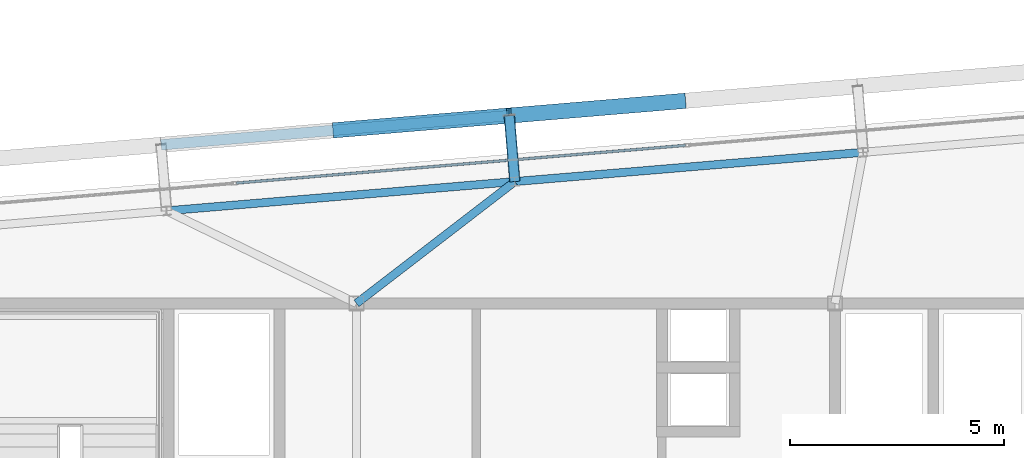
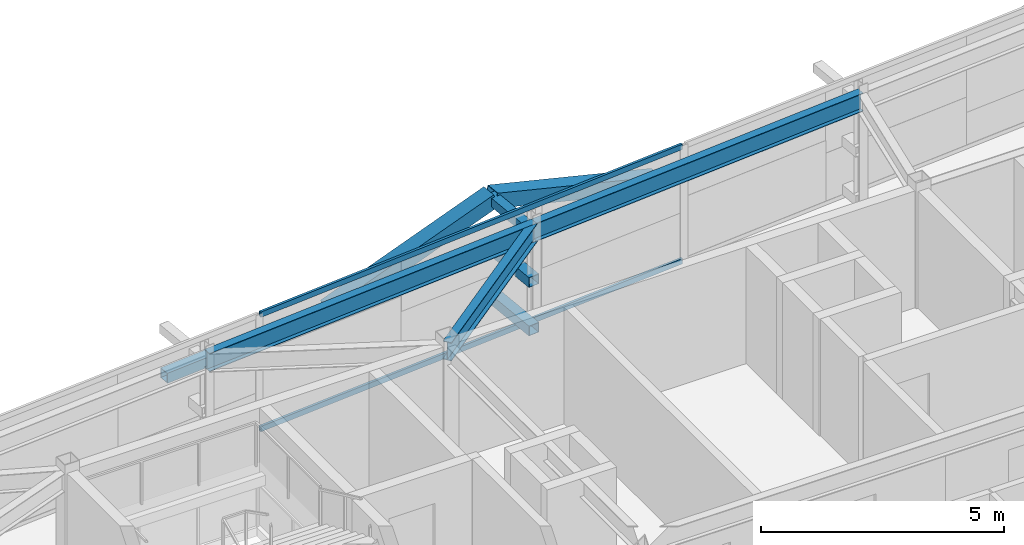
# One storey, part 22 of 39: 8 members, 3 beams, 1 element without a shape of its own.
"""IFC4 building model written with IfcOpenShell, lengths in metres."""

from ifc_helpers import new_model, si_unit, direction, frame, origin, origin_2d, place, context, subcontext, project, spatial, hollow_rectangle, i_section, extrude, source, transform, mapped, material, layer, layer_set, material_profile, profile_set, type_object, element, aggregate, save


model = new_model("IFC4")

# Units and contexts
model_context = context("Model", 3, precision=1e-05, world=origin(), true_north=direction((0.0, 1.0)))
body_context = subcontext(model_context, "Body", "Model", "MODEL_VIEW")
ifc_project = project(units=[si_unit("LENGTHUNIT", "METRE"), si_unit("AREAUNIT", "SQUARE_METRE"), si_unit("VOLUMEUNIT", "CUBIC_METRE"), si_unit("PLANEANGLEUNIT", "RADIAN"), si_unit("MASSUNIT", "GRAM", prefix="KILO")], contexts=[model_context])

# Site, building, storey
site_placement = place(None, origin())
site = spatial("IfcSite", under=ifc_project, at=site_placement, CompositionType="ELEMENT")
building_placement = place(site_placement, origin())
building = spatial("IfcBuilding", under=site, at=building_placement, Name="Taldren Reach Tower", CompositionType="ELEMENT")
storey_placement = place(building_placement, frame((0.0, 0.0, 175.699951171875)))
storey = spatial("IfcBuildingStorey", under=building, at=storey_placement, Name="L53", CompositionType="ELEMENT", Elevation=175.699951171875)

# Members
ifc_material_1 = material(Name="Steel Gr 350 (C350L0)", Category="steel")
ifc_material_profile_1 = material_profile(ifc_material_1, hollow_rectangle(XDim=0.25, YDim=0.25, WallThickness=0.010009765625, at=origin_2d()), Name="250x250x10.0SHS")
ifc_profile_set_1 = profile_set([ifc_material_profile_1], Name="Steel Gr 350 (C350L0)")
member_type_1 = type_object("IfcMemberType", Name="MB-POST250", PredefinedType="POST", material=ifc_profile_set_1)
shared_shape_1 = source(origin(), body_context, "Body", "SweptSolid", [
    extrude(hollow_rectangle(XDim=0.25, YDim=0.25, WallThickness=0.010009765625, at=origin_2d()), origin(), (0.0, 0.0, 1.0), 1.5498046875),
])
for number, where, z_axis, x_axis, name in (
    (1, (31.706298828125, 34.8525390625, 0.219970703125), (-0.083645141657, 0.996495604746, 0.0), (-0.996495604746, -0.083645141657, 0.0), "Exoskeleton base diaphragm tie strut B4-N3 L53"),
    (2, (31.706298828125, 34.8525390625, 1.43505859375), (-0.083645141657, 0.996495604746, 0.0), (-0.996495604746, -0.083645141657, 0.0), "Exoskeleton mid-tier diaphragm tie B4-N3 L53"),
):
    element("IfcMember", number, at=place(storey_placement, frame(where, z_axis=z_axis, x_axis=x_axis)), inside=storey, type_object=member_type_1, Name=name, PredefinedType="POST", context=body_context, shape_type="MappedRepresentation", body=[
        mapped(shared_shape_1, transform((0.0, 0.0, 0.0), scale=1.0)),
    ])

# Beams
ifc_material_2 = material(Name="Steel Gr 350 (350PLUS)", Category="steel")
ifc_material_profile_2 = material_profile(ifc_material_2, i_section(OverallWidth=0.18994140625, OverallDepth=0.4541015625, WebThickness=0.008544921875, FlangeThickness=0.0126953125, at=origin_2d()), Name="460UB67.1")
ifc_profile_set_2 = profile_set([ifc_material_profile_2], Name="Steel Gr 350 (350PLUS)")
beam_type_1 = type_object("IfcBeamType", Name="SP-UB460B", PredefinedType="SPANDREL", material=ifc_profile_set_2)
shared_shape_2 = source(origin(), body_context, "Body", "SweptSolid", [
    extrude(i_section(OverallWidth=0.18994140625, OverallDepth=0.4541015625, WebThickness=0.008544921875, FlangeThickness=0.0126953125, at=origin_2d()), origin(), (0.0, 0.0, 1.0), 8.18017578125),
])
beam_1_placement = place(storey_placement, frame((39.857666015625, 35.537109375, 2.703125), z_axis=(-0.996492034688, -0.083687662192, 0.0), x_axis=(0.083687662192, -0.996492034688, 0.0)))
element("IfcBeam", 3, at=beam_1_placement, inside=storey, type_object=beam_type_1, Name="Perimeter spandrel B4 N4-N3 L53", PredefinedType="SPANDREL", context=body_context, shape_type="MappedRepresentation", body=[
    mapped(shared_shape_2, transform((0.0, 0.0, 0.0), scale=1.0)),
])
shared_shape_3 = source(origin(), body_context, "Body", "SweptSolid", [
    extrude(i_section(OverallWidth=0.18994140625, OverallDepth=0.4541015625, WebThickness=0.008544921875, FlangeThickness=0.0126953125, at=origin_2d()), origin(), (0.0, 0.0, 1.0), 8.179931640625),
])
beam_2_placement = place(storey_placement, frame((31.706298828125, 34.8525390625, 2.703125), z_axis=(-0.99649182565, -0.08369015123, 0.0), x_axis=(0.08369015123, -0.99649182565, 0.0)))
element("IfcBeam", 4, at=beam_2_placement, inside=storey, type_object=beam_type_1, Name="Perimeter spandrel B4 N3-N2 L53", PredefinedType="SPANDREL", context=body_context, shape_type="MappedRepresentation", body=[
    mapped(shared_shape_3, transform((0.0, 0.0, 0.0), scale=1.0)),
])
ifc_material_profile_3 = material_profile(ifc_material_2, i_section(OverallWidth=0.19091796875, OverallDepth=0.4599609375, WebThickness=0.010009765625, FlangeThickness=0.01611328125, at=origin_2d()), Name="460UB82.1")
ifc_profile_set_3 = profile_set([ifc_material_profile_3], Name="Steel Gr 350 (350PLUS)")
beam_type_2 = type_object("IfcBeamType", Name="BM-UB460A", PredefinedType="BEAM", material=ifc_profile_set_3)
shared_shape_4 = source(origin(), body_context, "Body", "SweptSolid", [
    extrude(i_section(OverallWidth=0.19091796875, OverallDepth=0.4599609375, WebThickness=0.010009765625, FlangeThickness=0.01611328125, at=origin_2d()), origin(), (0.0, 0.0, 1.0), 4.677001953125),
])
beam_3_placement = place(storey_placement, frame((28.0, 32.0, 2.699951171875), z_axis=(0.792464836093, 0.609917603907, 0.0), x_axis=(-0.609917603907, 0.792464836093, 0.0)))
element("IfcBeam", 5, at=beam_3_placement, inside=storey, type_object=beam_type_2, Name="Primary floor girder B4-N3 L53", PredefinedType="BEAM", context=body_context, shape_type="MappedRepresentation", body=[
    mapped(shared_shape_4, transform((0.0, 0.0, 0.0), scale=1.0)),
])

# Members
ifc_material_3 = material(Name="Steel Gr 450 (C450L0)", Category="steel")
ifc_material_profile_4 = material_profile(ifc_material_3, hollow_rectangle(XDim=0.219970703125, YDim=0.219970703125, WallThickness=0.00830078125, at=origin_2d()), Name="220x220x8.2SHS")
ifc_profile_set_4 = profile_set([ifc_material_profile_4], Name="Steel Gr 450 (C450L0)")
member_type_2 = type_object("IfcMemberType", Name="MB-TIE219", PredefinedType="STRUT", material=ifc_profile_set_4)
shared_shape_5 = source(origin(), body_context, "Body", "SweptSolid", [
    extrude(hollow_rectangle(XDim=0.219970703125, YDim=0.219970703125, WallThickness=0.00830078125, at=origin_2d()), origin(), (0.0, 0.0, 1.0), 1.5498046875),
])
member_1_placement = place(storey_placement, frame((31.706298828125, 34.8525390625, 2.650146484375), z_axis=(-0.083645141657, 0.996495604746, 0.0), x_axis=(-0.996495604746, -0.083645141657, 0.0)))
element("IfcMember", 6, at=member_1_placement, inside=storey, type_object=member_type_2, Name="Exoskeleton diaphragm tie strut B4-N3 L53", PredefinedType="STRUT", context=body_context, shape_type="MappedRepresentation", body=[
    mapped(shared_shape_5, transform((0.0, 0.0, 0.0), scale=1.0)),
])
shared_shape_6 = source(origin(), body_context, "Body", "SweptSolid", [
    extrude(hollow_rectangle(XDim=0.25, YDim=0.25, WallThickness=0.010009765625, at=origin_2d()), origin(), (0.0, 0.0, 1.0), 8.179931640625),
])
member_2_placement = place(storey_placement, frame((23.42529296875, 35.712646484375, 1.43505859375), z_axis=(0.996494523218, 0.083658025296, 0.0), x_axis=(-0.083658025296, 0.996494523218, 0.0)))
element("IfcMember", 7, at=member_2_placement, inside=storey, type_object=member_type_1, Name="Exoskeleton mid-height ring chord B4-N2 L53", PredefinedType="POST", context=body_context, shape_type="MappedRepresentation", body=[
    mapped(shared_shape_6, transform((0.0, 0.0, 0.0), scale=1.0)),
])
ifc_material_profile_5 = material_profile(ifc_material_3, hollow_rectangle(XDim=0.360107421875, YDim=0.360107421875, WallThickness=0.0126953125, at=origin_2d()), Name="360x360x12.7SHS")
ifc_profile_set_5 = profile_set([ifc_material_profile_5], Name="Steel Gr 450 (C450L0)")
member_type_3 = type_object("IfcMemberType", Name="MB-EXO356", PredefinedType="BRACE", material=ifc_profile_set_5)
shared_shape_7 = source(origin(), body_context, "Body", "SweptSolid", [
    extrude(hollow_rectangle(XDim=0.360107421875, YDim=0.360107421875, WallThickness=0.0126953125, at=origin_2d()), origin(), (0.0, 0.0, 1.0), 4.2666015625),
])
for number, where, z_axis, x_axis, name in (
    (8, (27.5009765625, 36.054931640625, 1.43505859375), (0.955233542365, 0.080165460216, 0.28478479336), (-0.083628388178, 0.996497010879, 0.0), "Exoskeleton Diagrid Brace B4-N2 L53"),
    (9, (35.65234375, 36.7392578125, 1.43505859375), (-0.955229159097, -0.080222312271, 0.284783486572), (0.083687662192, -0.996492034688, 0.0), "Exoskeleton Diagrid Brace B4-N3 L53"),
):
    element("IfcMember", number, at=place(storey_placement, frame(where, z_axis=z_axis, x_axis=x_axis)), inside=storey, type_object=member_type_3, Name=name, PredefinedType="BRACE", context=body_context, shape_type="MappedRepresentation", body=[
        mapped(shared_shape_7, transform((0.0, 0.0, 0.0), scale=1.0)),
    ])

# Curtain wall, members
ifc_material_4 = material(Name="Aluminium and Low-E Glass Unitised System", Category="aluminium")
ifc_layer = layer(ifc_material_4, 0.159912109375)
ifc_layer_set = layer_set([ifc_layer], Name="Aluminium and Low-E Glass Unitised System")
curtain_wall_type = type_object("IfcCurtainWallType", Name="CW-SYS-5", PredefinedType="NOTDEFINED", material=ifc_layer_set)
curtain_wall_placement = place(storey_placement, origin())
curtain_wall = element("IfcCurtainWall", 10, at=curtain_wall_placement, inside=storey, type_object=curtain_wall_type, Name="Unitised curtain wall CW-L53-N", PredefinedType="NOTDEFINED")
ifc_material_5 = material(Name="Anodised Aluminium 6063-T6", Category="aluminium")
ifc_material_profile_6 = material_profile(ifc_material_5, hollow_rectangle(XDim=0.06005859375, YDim=0.135009765625, WallThickness=0.00341796875, at=origin_2d()), Name="ALU-135x60x3.5RHS")
ifc_profile_set_6 = profile_set([ifc_material_profile_6], Name="Anodised Aluminium 6063-T6")
member_type_4 = type_object("IfcMemberType", Name="CW-TRN-150", PredefinedType="USERDEFINED", material=ifc_profile_set_6)
shared_shape_8 = source(origin(), body_context, "Body", "SweptSolid", [
    extrude(hollow_rectangle(XDim=0.06005859375, YDim=0.135009765625, WallThickness=0.00341796875, at=origin_2d()), origin(), (0.0, 0.0, 1.0), 10.55517578125),
])
member_3_placement = place(storey_placement, frame((35.70458984375, 35.699951171875, 0.030029296875), z_axis=(-0.996494202684, -0.083661843255, 0.0), x_axis=(0.083661843255, -0.996494202684, 0.0)))
member_3 = element("IfcMember", 11, at=member_3_placement, type_object=member_type_4, Name="CW-5 transom 3.1", ObjectType="TRANSOM", PredefinedType="USERDEFINED", context=body_context, shape_type="MappedRepresentation", body=[
    mapped(shared_shape_8, transform((0.0, 0.0, 0.0), scale=1.0)),
])
member_4_placement = place(storey_placement, frame((35.70458984375, 35.699951171875, 2.900146484375), z_axis=(-0.996494202684, -0.083661843255, 0.0), x_axis=(0.083661843255, -0.996494202684, 0.0)))
member_4 = element("IfcMember", 12, at=member_4_placement, type_object=member_type_4, Name="CW-5 transom 3.2", ObjectType="TRANSOM", PredefinedType="USERDEFINED", context=body_context, shape_type="MappedRepresentation", body=[
    mapped(shared_shape_8, transform((0.0, 0.0, 0.0), scale=1.0)),
])
aggregate(curtain_wall, [member_3, member_4])

save(model, "model.ifc")
